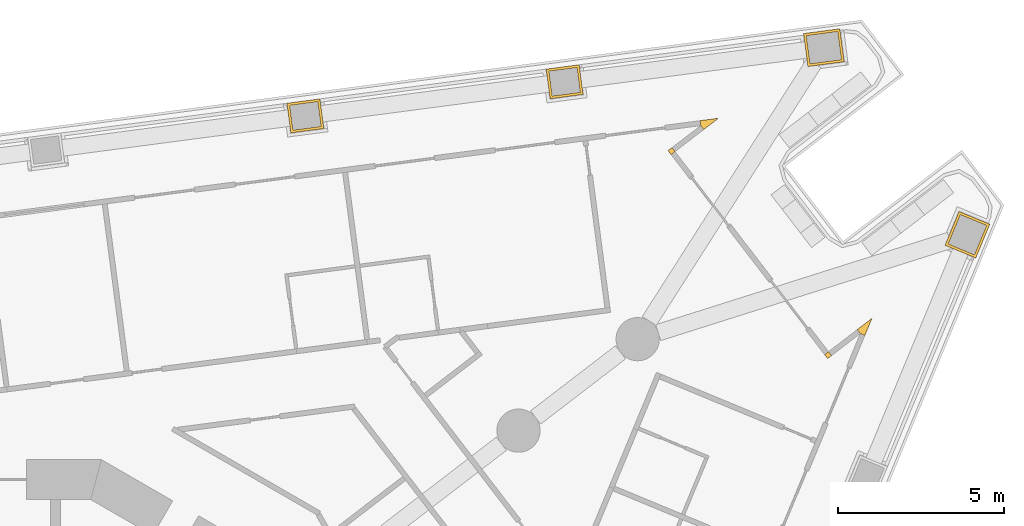
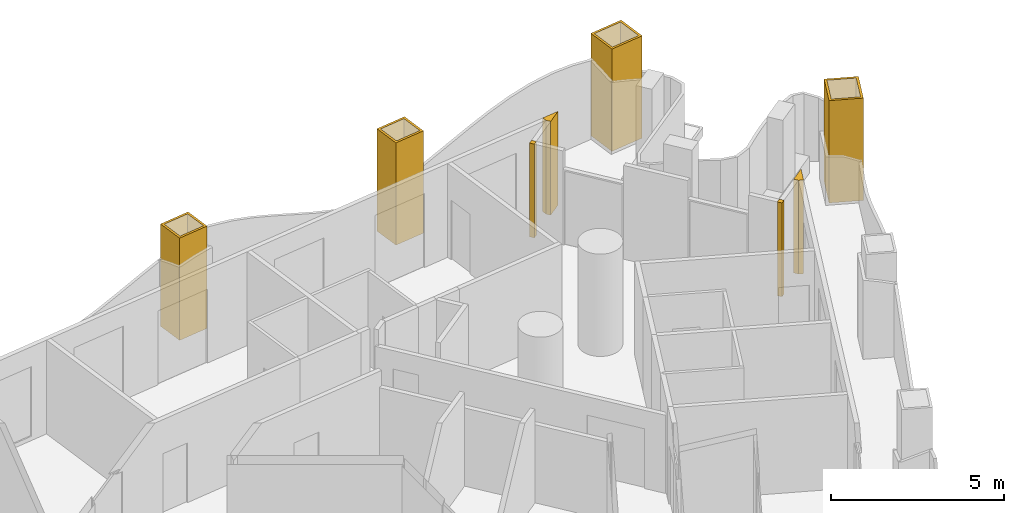
# One storey, part 18 of 19: 8 coverings.
"""IFC4 building model written with IfcOpenShell, lengths in metres."""

from ifc_helpers import new_model, si_unit, direction, frame, origin, place, context, subcontext, project, spatial, polyline, outline, extrude, material, layer, layer_set, type_object, element, save


model = new_model("IFC4")

# Units and contexts
model_context = context("Model", 3, precision=1e-05, world=origin(), true_north=direction((0.0, 1.0)))
body_context = subcontext(model_context, "Body", "Model", "MODEL_VIEW")
ifc_project = project(units=[si_unit("LENGTHUNIT", "METRE"), si_unit("AREAUNIT", "SQUARE_METRE"), si_unit("VOLUMEUNIT", "CUBIC_METRE"), si_unit("PLANEANGLEUNIT", "RADIAN"), si_unit("MASSUNIT", "GRAM", prefix="KILO")], contexts=[model_context])

# Site, building, storey
site_placement = place(None, origin())
site = spatial("IfcSite", under=ifc_project, at=site_placement, CompositionType="ELEMENT")
building_placement = place(site_placement, origin())
building = spatial("IfcBuilding", under=site, at=building_placement, Name="Trine Commons Tower", CompositionType="ELEMENT")
storey_placement = place(building_placement, frame((0.0, 0.0, 61.199951171875)))
storey = spatial("IfcBuildingStorey", under=building, at=storey_placement, Name="L14", CompositionType="ELEMENT", Elevation=61.199951171875)

# Coverings
ifc_material_1 = material(Name="Aluminium-framed insulated wall panel", Category="aluminium")
ifc_layer_1 = layer(ifc_material_1, 0.14990234375)
ifc_layer_set_1 = layer_set([ifc_layer_1], Name="Aluminium-framed insulated wall panel")
covering_type_1 = type_object("IfcCoveringType", Name="Glazing corner post, aluminium", PredefinedType="CLADDING", material=ifc_layer_set_1)
covering_1_placement = place(storey_placement, origin())
element("IfcCovering", 1, at=covering_1_placement, inside=storey, type_object=covering_type_1, Name="Glazing corner post 2-05", PredefinedType="CLADDING", context=body_context, shape_type="SweptSolid", body=[
    extrude(outline(polyline([(101.056396484375, 83.434326171875), (101.50048828125, 83.775146484375), (100.945556640625, 83.7021484375), (100.965087890625, 83.553466796875), (101.056396484375, 83.434326171875)])), origin(), (0.0, 0.0, 1.0), 3.300048828125),
])
covering_2_placement = place(storey_placement, origin())
element("IfcCovering", 2, at=covering_2_placement, inside=storey, type_object=covering_type_1, Name="Glazing corner post 2-06", PredefinedType="CLADDING", context=body_context, shape_type="SweptSolid", body=[
    extrude(outline(polyline([(100.076171875, 82.68212890625), (100.195068359375, 82.7734375), (100.103759765625, 82.892333984375), (99.98486328125, 82.801025390625), (100.076171875, 82.68212890625)])), origin(), (0.0, 0.0, 1.0), 3.300048828125),
])
covering_3_placement = place(storey_placement, origin())
element("IfcCovering", 3, at=covering_3_placement, inside=storey, type_object=covering_type_1, Name="Glazing corner post 2-07", PredefinedType="CLADDING", context=body_context, shape_type="SweptSolid", body=[
    extrude(outline(polyline([(104.6904296875, 76.66845703125), (104.78173828125, 76.549560546875), (104.90087890625, 76.640869140625), (104.8095703125, 76.759765625), (104.6904296875, 76.66845703125)])), origin(), (0.0, 0.0, 1.0), 3.300048828125),
])
covering_4_placement = place(storey_placement, origin())
element("IfcCovering", 4, at=covering_4_placement, inside=storey, type_object=covering_type_1, Name="Glazing corner post 2-08", PredefinedType="CLADDING", context=body_context, shape_type="SweptSolid", body=[
    extrude(outline(polyline([(105.90087890625, 77.244384765625), (106.114990234375, 77.761474609375), (105.6708984375, 77.4208984375), (105.76220703125, 77.3017578125), (105.90087890625, 77.244384765625)])), origin(), (0.0, 0.0, 1.0), 3.300048828125),
])
ifc_material_2 = material(Name="Limestone, honed", Category="masonry")
ifc_layer_2 = layer(ifc_material_2, 0.074951171875)
ifc_layer_set_2 = layer_set([ifc_layer_2], Name="Limestone, honed")
covering_type_2 = type_object("IfcCoveringType", Name="Limestone column cladding 75", PredefinedType="CLADDING", material=ifc_layer_set_2)
covering_5_placement = place(storey_placement, origin())
element("IfcCovering", 5, at=covering_5_placement, inside=storey, type_object=covering_type_2, Name="Limestone pier cladding 2-14", PredefinedType="CLADDING", context=body_context, shape_type="SweptSolid", body=[
    extrude(outline(polyline([(89.636962890625, 83.464111328125), (89.519287109375, 84.356201171875), (88.52783203125, 84.225830078125), (88.6455078125, 83.33349609375), (89.636962890625, 83.464111328125)]), holes=[polyline([(89.552734375, 83.528564453125), (89.454833984375, 84.272216796875), (88.612060546875, 84.1611328125), (88.7099609375, 83.41748046875), (89.552734375, 83.528564453125)])]), origin(), (0.0, 0.0, 1.0), 3.60009765625),
])
covering_6_placement = place(storey_placement, origin())
element("IfcCovering", 6, at=covering_6_placement, inside=storey, type_object=covering_type_2, Name="Limestone pier cladding 2-15", PredefinedType="CLADDING", context=body_context, shape_type="SweptSolid", body=[
    extrude(outline(polyline([(97.43017578125, 84.489990234375), (97.312744140625, 85.38232421875), (96.3212890625, 85.251708984375), (96.438720703125, 84.359619140625), (97.43017578125, 84.489990234375)]), holes=[polyline([(97.345947265625, 84.5546875), (97.248046875, 85.298095703125), (96.405517578125, 85.187255859375), (96.50341796875, 84.443603515625), (97.345947265625, 84.5546875)])]), origin(), (0.0, 0.0, 1.0), 3.60009765625),
])
covering_7_placement = place(storey_placement, origin())
element("IfcCovering", 7, at=covering_7_placement, inside=storey, type_object=covering_type_2, Name="Limestone pier cladding 2-16", PredefinedType="CLADDING", context=body_context, shape_type="SweptSolid", body=[
    extrude(outline(polyline([(105.279541015625, 85.472900390625), (105.14892578125, 86.46435546875), (104.058349609375, 86.32080078125), (104.18896484375, 85.329345703125), (105.279541015625, 85.472900390625)]), holes=[polyline([(105.1953125, 85.53759765625), (105.08447265625, 86.38037109375), (104.142578125, 86.25634765625), (104.25341796875, 85.41357421875), (105.1953125, 85.53759765625)])]), origin(), (0.0, 0.0, 1.0), 3.60009765625),
])
covering_8_placement = place(storey_placement, origin())
element("IfcCovering", 8, at=covering_8_placement, inside=storey, type_object=covering_type_2, Name="Limestone pier cladding 2-17", PredefinedType="CLADDING", context=body_context, shape_type="SweptSolid", body=[
    extrude(outline(polyline([(109.65673828125, 80.589599609375), (108.73291015625, 80.972412109375), (108.31201171875, 79.9560546875), (109.23583984375, 79.5732421875), (109.65673828125, 80.589599609375)]), holes=[polyline([(109.558837890625, 80.549072265625), (108.7734375, 80.874267578125), (108.409912109375, 79.99658203125), (109.1953125, 79.67138671875), (109.558837890625, 80.549072265625)])]), origin(), (0.0, 0.0, 1.0), 3.60009765625),
])

save(model, "model.ifc")
